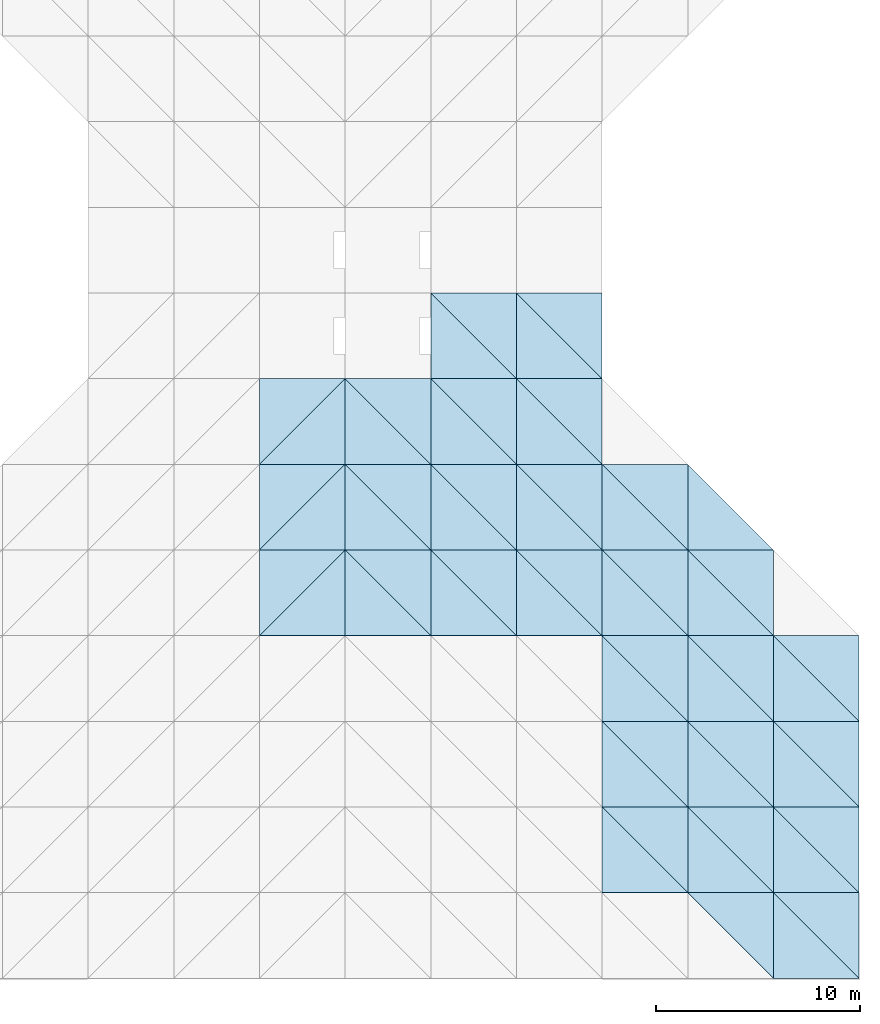
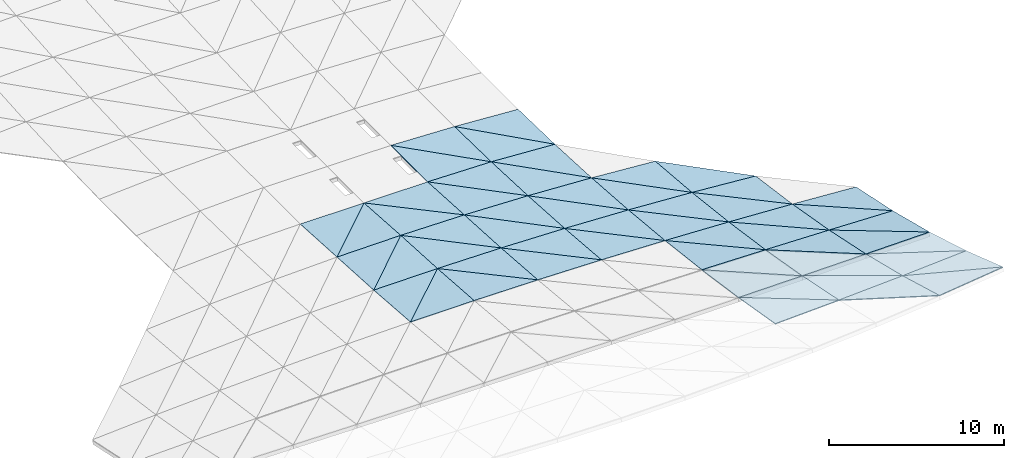
# One storey, part 46 of 64: 56 roofs.
"""IFC4 building model written with IfcOpenShell, lengths in metres."""

from ifc_helpers import new_model, si_unit, direction, frame, origin, place, context, subcontext, project, spatial, polyline, outline, extrude, material, layer, layer_set, type_object, element, save


model = new_model("IFC4")

# Units and contexts
model_context = context("Model", 3, precision=1e-05, world=origin(), true_north=direction((0.0, 1.0)))
body_context = subcontext(model_context, "Body", "Model", "MODEL_VIEW")
ifc_project = project(units=[si_unit("LENGTHUNIT", "METRE"), si_unit("AREAUNIT", "SQUARE_METRE"), si_unit("VOLUMEUNIT", "CUBIC_METRE"), si_unit("PLANEANGLEUNIT", "RADIAN"), si_unit("MASSUNIT", "GRAM", prefix="KILO")], contexts=[model_context])

# Site, building, storey
site_placement = place(None, origin())
site = spatial("IfcSite", under=ifc_project, at=site_placement, CompositionType="ELEMENT")
building_placement = place(site_placement, origin())
building = spatial("IfcBuilding", under=site, at=building_placement, Name="Cumbredor Promenade Congress Hotel", CompositionType="ELEMENT")
storey_placement = place(building_placement, frame((0.0, 0.0, 18.47998046875)))
storey = spatial("IfcBuildingStorey", under=building, at=storey_placement, Name="L05", CompositionType="ELEMENT", Elevation=18.47998046875)

# Roofs
ifc_material = material(Name="Standing-seam zinc-aluminium roofing", Category="aluminium")
ifc_layer = layer(ifc_material, 0.050048828125, Name="Standing-seam zinc-aluminium roofing", Category="aluminium")
ifc_layer_set = layer_set([ifc_layer], Name="Standing-seam zinc-aluminium roofing")
roof_type = type_object("IfcRoofType", Name="Sweeping Pavilion Standing-Seam Roof Skin 50mm", PredefinedType="FREEFORM", material=ifc_layer_set)
roof_1_placement = place(storey_placement, frame((159.60009765625, 16.800048828125, 1.030029296875), z_axis=(-0.00591297836, 0.073680347997, 0.997264379694), x_axis=(0.999982422767, 0.0, 0.005929094177)))
element("IfcRoof", 1, at=roof_1_placement, inside=storey, type_object=roof_type, Name="Grand Ballroom Pavilion Standing-Seam Roof Skin 6.5.1", PredefinedType="FREEFORM", context=body_context, shape_type="SweptSolid", body=[
    extrude(outline(polyline([(0.0, 0.0), (4.200024996694476, 0.0), (4.1981851825590715, 4.21139813460788), (0.0, 0.0)])), origin(), (0.0, 0.0, -1.0), 0.050048828125),
])
roof_2_placement = place(storey_placement, frame((159.60009765625, 16.800048828125, 1.030029296875), z_axis=(-0.008461902118, 0.076215077293, 0.997055494045), x_axis=(0.706291899763, 0.706291899763, -0.047994839901)))
element("IfcRoof", 2, at=roof_2_placement, inside=storey, type_object=roof_type, Name="Grand Ballroom Pavilion Standing-Seam Roof Skin 6.5.2", PredefinedType="FREEFORM", context=body_context, shape_type="SweptSolid", body=[
    extrude(outline(polyline([(0.0, 0.0), (5.946480730250227, -1.8735013540549517e-16), (2.981799991723736, 2.9751518444194134), (0.0, 0.0)])), origin(), (0.0, 0.0, -1.0), 0.050048828125),
])
roof_3_placement = place(storey_placement, frame((159.60009765625, 21.0, 0.708984375), z_axis=(-0.008473622127, 0.055252659351, 0.998436448334), x_axis=(0.999963988279, 0.0, 0.008486586194)))
element("IfcRoof", 3, at=roof_3_placement, inside=storey, type_object=roof_type, Name="Grand Ballroom Pavilion Standing-Seam Roof Skin 6.6.1", PredefinedType="FREEFORM", context=body_context, shape_type="SweptSolid", body=[
    extrude(outline(polyline([(0.0, 0.0), (4.200102424791831, 4.336808689942018e-19), (4.198129956516363, 4.206376811875228), (0.0, 0.0)])), origin(), (0.0, 0.0, -1.0), 0.050048828125),
])
roof_4_placement = place(storey_placement, frame((159.60009765625, 21.0, 0.708984375), z_axis=(-0.01050356696, 0.05727635685, 0.998303107291), x_axis=(0.706719051196, 0.706719051196, -0.0331114082)))
element("IfcRoof", 4, at=roof_4_placement, inside=storey, type_object=roof_type, Name="Grand Ballroom Pavilion Standing-Seam Roof Skin 6.6.2", PredefinedType="FREEFORM", context=body_context, shape_type="SweptSolid", body=[
    extrude(outline(polyline([(0.0, 0.0), (5.94288658946826, -5.204170427930421e-17), (2.976164257231391, 2.973230760857406), (0.0, 0.0)])), origin(), (0.0, 0.0, -1.0), 0.050048828125),
])
roof_5_placement = place(storey_placement, frame((159.60009765625, 25.199951171875, 0.468017578125), z_axis=(-0.010496716552, 0.067677724952, 0.997652015728), x_axis=(0.999944654448, 0.0, 0.010520838369)))
element("IfcRoof", 5, at=roof_5_placement, inside=storey, type_object=roof_type, Name="Grand Ballroom Pavilion Standing-Seam Roof Skin 6.7.1", PredefinedType="FREEFORM", context=body_context, shape_type="SweptSolid", body=[
    extrude(outline(polyline([(0.0, 0.0), (4.2001836333548175, 0.0), (4.197186119102824, 4.209602804435475), (0.0, 0.0)])), origin(), (0.0, 0.0, -1.0), 0.050048828125),
])
roof_6_placement = place(storey_placement, frame((159.60009765625, 25.199951171875, 0.468017578125), z_axis=(0.0, 0.057221672776, 0.998361497738), x_axis=(0.706526770687, 0.706526770687, -0.040494994821)))
element("IfcRoof", 6, at=roof_6_placement, inside=storey, type_object=roof_type, Name="Grand Ballroom Pavilion Standing-Seam Roof Skin 6.7.2", PredefinedType="FREEFORM", context=body_context, shape_type="SweptSolid", body=[
    extrude(outline(polyline([(0.0, 0.0), (5.944503939732939, 1.8214596497756474e-16), (2.977126001225481, 2.9722479735367666), (0.0, 0.0)])), origin(), (0.0, 0.0, -1.0), 0.050048828125),
])
roof_7_placement = place(storey_placement, frame((163.800048828125, 16.800048828125, 1.054931640625), z_axis=(0.00591297836, 0.073680347997, 0.997264379694), x_axis=(0.999982422767, 0.0, -0.005929094177)))
element("IfcRoof", 7, at=roof_7_placement, inside=storey, type_object=roof_type, Name="Grand Ballroom Pavilion Standing-Seam Roof Skin 7.5.1", PredefinedType="FREEFORM", context=body_context, shape_type="SweptSolid", body=[
    extrude(outline(polyline([(0.0, 0.0), (4.200024996694476, 0.0), (0.0018398141354046091, 4.21139813460788), (0.0, 0.0)])), origin(), (0.0, 0.0, -1.0), 0.050048828125),
])
roof_8_placement = place(storey_placement, frame((168.0, 16.800048828125, 1.030029296875), z_axis=(0.008461902118, 0.076215077293, 0.997055494045), x_axis=(0.0, 0.997091192437, -0.076217806084)))
element("IfcRoof", 8, at=roof_8_placement, inside=storey, type_object=roof_type, Name="Grand Ballroom Pavilion Standing-Seam Roof Skin 7.5.2", PredefinedType="FREEFORM", context=body_context, shape_type="SweptSolid", body=[
    extrude(outline(polyline([(0.0, 0.0), (4.21220366174238, -4.336808689942018e-19), (4.209486913771629, 4.200101546156079), (0.0, 0.0)])), origin(), (0.0, 0.0, -1.0), 0.050048828125),
])
roof_9_placement = place(storey_placement, frame((163.800048828125, 21.0, 0.74462890625), z_axis=(0.008473622127, 0.055252659351, 0.998436448334), x_axis=(0.999963988279, 0.0, -0.008486586194)))
element("IfcRoof", 9, at=roof_9_placement, inside=storey, type_object=roof_type, Name="Grand Ballroom Pavilion Standing-Seam Roof Skin 7.6.1", PredefinedType="FREEFORM", context=body_context, shape_type="SweptSolid", body=[
    extrude(outline(polyline([(0.0, 0.0), (4.200102424791831, -4.336808689942018e-19), (0.0019724682754687114, 4.206376811875228), (0.0, 0.0)])), origin(), (0.0, 0.0, -1.0), 0.050048828125),
])
roof_10_placement = place(storey_placement, frame((168.0, 21.0, 0.708984375), z_axis=(0.01050356696, 0.05727635685, 0.998303107291), x_axis=(0.0, 0.998358180703, -0.057279516617)))
element("IfcRoof", 10, at=roof_10_placement, inside=storey, type_object=roof_type, Name="Grand Ballroom Pavilion Standing-Seam Roof Skin 7.6.2", PredefinedType="FREEFORM", context=body_context, shape_type="SweptSolid", body=[
    extrude(outline(polyline([(0.0, 0.0), (4.206858072639293, 0.0), (4.2043269221247455, 4.2001828706829825), (0.0, 0.0)])), origin(), (0.0, 0.0, -1.0), 0.050048828125),
])
roof_11_placement = place(storey_placement, frame((163.800048828125, 25.199951171875, 0.51220703125), z_axis=(0.010496716552, 0.067677724952, 0.997652015728), x_axis=(0.999944654448, 0.0, -0.010520838369)))
element("IfcRoof", 11, at=roof_11_placement, inside=storey, type_object=roof_type, Name="Grand Ballroom Pavilion Standing-Seam Roof Skin 7.7.1", PredefinedType="FREEFORM", context=body_context, shape_type="SweptSolid", body=[
    extrude(outline(polyline([(0.0, 0.0), (4.2001836333548175, 0.0), (0.0029975142519936262, 4.209602804435475), (0.0, 0.0)])), origin(), (0.0, 0.0, -1.0), 0.050048828125),
])
roof_12_placement = place(storey_placement, frame((168.0, 25.199951171875, 0.468017578125), z_axis=(0.0, 0.057221672776, 0.998361497738), x_axis=(0.0, 0.998361497738, -0.057221672776)))
element("IfcRoof", 12, at=roof_12_placement, inside=storey, type_object=roof_type, Name="Grand Ballroom Pavilion Standing-Seam Roof Skin 7.7.2", PredefinedType="FREEFORM", context=body_context, shape_type="SweptSolid", body=[
    extrude(outline(polyline([(0.0, 0.0), (4.20684409544331, 0.0), (4.20684409544331, 4.199951171875), (0.0, 0.0)])), origin(), (0.0, 0.0, -1.0), 0.050048828125),
])
roof_13_placement = place(storey_placement, frame((168.0, 16.800048828125, 1.030029296875), z_axis=(0.017617199354, 0.076205977469, 0.99693644897), x_axis=(0.999843898494, 0.0, -0.017668577873)))
element("IfcRoof", 13, at=roof_13_placement, inside=storey, type_object=roof_type, Name="Grand Ballroom Pavilion Standing-Seam Roof Skin 8.5.1", PredefinedType="FREEFORM", context=body_context, shape_type="SweptSolid", body=[
    extrude(outline(polyline([(0.0, 0.0), (4.200606892936514, -8.673617379884035e-19), (0.005672407202748996, 4.21219984233802), (0.0, 0.0)])), origin(), (0.0, 0.0, -1.0), 0.050048828125),
])
roof_14_placement = place(storey_placement, frame((172.199951171875, 16.800048828125, 0.955810546875), z_axis=(0.025535906528, 0.084077406526, 0.996131972778), x_axis=(0.0, 0.996456911826, -0.084104832644)))
element("IfcRoof", 14, at=roof_14_placement, inside=storey, type_object=roof_type, Name="Grand Ballroom Pavilion Standing-Seam Roof Skin 8.5.2", PredefinedType="FREEFORM", context=body_context, shape_type="SweptSolid", body=[
    extrude(outline(polyline([(0.0, 0.0), (4.214884880650089, 1.734723475976807e-18), (4.2058296484245234, 4.2013211993162445), (0.0, 0.0)])), origin(), (0.0, 0.0, -1.0), 0.050048828125),
])
roof_15_placement = place(storey_placement, frame((168.0, 21.0, 0.708984375), z_axis=(0.02558459792, 0.057260766774, 0.998031378734), x_axis=(0.999671583613, 0.0, -0.025626644677)))
element("IfcRoof", 15, at=roof_15_placement, inside=storey, type_object=roof_type, Name="Grand Ballroom Pavilion Standing-Seam Roof Skin 8.6.1", PredefinedType="FREEFORM", context=body_context, shape_type="SweptSolid", body=[
    extrude(outline(polyline([(0.0, 0.0), (4.201330957810245, 0.0), (0.006175170482396861, 4.20685354042661), (0.0, 0.0)])), origin(), (0.0, 0.0, -1.0), 0.050048828125),
])
roof_16_placement = place(storey_placement, frame((172.199951171875, 21.0, 0.601318359375), z_axis=(0.031427778123, 0.063087495568, 0.997513038845), x_axis=(0.0, 0.998006028498, -0.063118674592)))
element("IfcRoof", 16, at=roof_16_placement, inside=storey, type_object=roof_type, Name="Grand Ballroom Pavilion Standing-Seam Roof Skin 8.6.2", PredefinedType="FREEFORM", context=body_context, shape_type="SweptSolid", body=[
    extrude(outline(polyline([(0.0, 0.0), (4.208342486865724, 1.734723475976807e-18), (4.199990357561807, 4.20202686651788), (0.0, 0.0)])), origin(), (0.0, 0.0, -1.0), 0.050048828125),
])
roof_17_placement = place(storey_placement, frame((168.0, 25.199951171875, 0.468017578125), z_axis=(0.03143896099, 0.057193386598, 0.997867981379), x_axis=(0.999504050995, 0.0, -0.031490507216)))
element("IfcRoof", 17, at=roof_17_placement, inside=storey, type_object=roof_type, Name="Grand Ballroom Pavilion Standing-Seam Roof Skin 8.7.1", PredefinedType="FREEFORM", context=body_context, shape_type="SweptSolid", body=[
    extrude(outline(polyline([(0.0, 0.0), (4.202035167035372, 0.0), (0.007580478543728932, 4.206837265655909), (0.0, 0.0)])), origin(), (0.0, 0.0, -1.0), 0.050048828125),
])
roof_18_placement = place(storey_placement, frame((172.199951171875, 25.199951171875, 0.335693359375), z_axis=(0.016375715477, 0.042158756867, 0.998976714024), x_axis=(0.0, 0.999110685794, -0.042164410736)))
element("IfcRoof", 18, at=roof_18_placement, inside=storey, type_object=roof_type, Name="Grand Ballroom Pavilion Standing-Seam Roof Skin 8.7.2", PredefinedType="FREEFORM", context=body_context, shape_type="SweptSolid", body=[
    extrude(outline(polyline([(0.0, 0.0), (4.203689572730581, 0.0), (4.200786651874266, 4.200514423133886), (0.0, 0.0)])), origin(), (0.0, 0.0, -1.0), 0.050048828125),
])
roof_19_placement = place(storey_placement, frame((168.0, 29.39990234375, 0.227294921875), z_axis=(0.016390287682, 0.0, 0.999865670213), x_axis=(0.999865670213, 0.0, -0.016390287682)))
element("IfcRoof", 19, at=roof_19_placement, inside=storey, type_object=roof_type, Name="Grand Ballroom Pavilion Standing-Seam Roof Skin 8.8.1", PredefinedType="FREEFORM", context=body_context, shape_type="SweptSolid", body=[
    extrude(outline(polyline([(0.0, 0.0), (4.20051542621918, 0.0), (0.0, 4.200195312500001), (0.0, 0.0)])), origin(), (0.0, 0.0, -1.0), 0.050048828125),
])
roof_20_placement = place(storey_placement, frame((172.199951171875, 29.39990234375, 0.158447265625), z_axis=(0.037400860464, 0.021022243033, 0.999079196528), x_axis=(0.0, 0.999778698634, -0.021036961689)))
element("IfcRoof", 20, at=roof_20_placement, inside=storey, type_object=roof_type, Name="Grand Ballroom Pavilion Standing-Seam Roof Skin 8.8.2", PredefinedType="FREEFORM", context=body_context, shape_type="SweptSolid", body=[
    extrude(outline(polyline([(0.0, 0.0), (4.201125027206037, -4.336808689942018e-19), (4.197817458034157, 4.202891754265857), (0.0, 0.0)])), origin(), (0.0, 0.0, -1.0), 0.050048828125),
])
roof_21_placement = place(storey_placement, frame((172.199951171875, 16.800048828125, 0.955810546875), z_axis=(0.029354527893, 0.084068588759, 0.996027501667), x_axis=(0.999565994989, 0.0, -0.029458812966)))
element("IfcRoof", 21, at=roof_21_placement, inside=storey, type_object=roof_type, Name="Grand Ballroom Pavilion Standing-Seam Roof Skin 9.5.1", PredefinedType="FREEFORM", context=body_context, shape_type="SweptSolid", body=[
    extrude(outline(polyline([(0.0, 0.0), (4.201774763176752, 1.734723475976807e-18), (0.010442919049581823, 4.214871943793126), (0.0, 0.0)])), origin(), (0.0, 0.0, -1.0), 0.050048828125),
])
roof_22_placement = place(storey_placement, frame((176.39990234375, 16.800048828125, 0.83203125), z_axis=(0.042369504616, 0.096993217934, 0.994382793874), x_axis=(0.0, 0.995276542908, -0.097080395222)))
element("IfcRoof", 22, at=roof_22_placement, inside=storey, type_object=roof_type, Name="Grand Ballroom Pavilion Standing-Seam Roof Skin 9.5.2", PredefinedType="FREEFORM", context=body_context, shape_type="SweptSolid", body=[
    extrude(outline(polyline([(0.0, 0.0), (4.2198836110435485, 0.0), (4.20251058133223, 4.203726078606878), (0.0, 0.0)])), origin(), (0.0, 0.0, -1.0), 0.050048828125),
])
roof_23_placement = place(storey_placement, frame((172.199951171875, 21.0, 0.601318359375), z_axis=(0.042485490965, 0.063061683724, 0.997104912787), x_axis=(0.999093477233, 0.0, -0.042570221404)))
element("IfcRoof", 23, at=roof_23_placement, inside=storey, type_object=roof_type, Name="Grand Ballroom Pavilion Standing-Seam Roof Skin 9.6.1", PredefinedType="FREEFORM", context=body_context, shape_type="SweptSolid", body=[
    extrude(outline(polyline([(0.0, 0.0), (4.203761977814741, 0.0), (0.011307715060419143, 4.2083272950590835), (0.0, 0.0)])), origin(), (0.0, 0.0, -1.0), 0.050048828125),
])
roof_24_placement = place(storey_placement, frame((176.39990234375, 21.0, 0.42236328125), z_axis=(0.052279466529, 0.072832302208, 0.995973048398), x_axis=(0.0, 0.997336912956, -0.072932037232)))
element("IfcRoof", 24, at=roof_24_placement, inside=storey, type_object=roof_type, Name="Grand Ballroom Pavilion Standing-Seam Roof Skin 9.6.2", PredefinedType="FREEFORM", context=body_context, shape_type="SweptSolid", body=[
    extrude(outline(polyline([(0.0, 0.0), (4.21116587315063, 3.469446951953614e-18), (4.195087350294103, 4.205702496733286), (0.0, 0.0)])), origin(), (0.0, 0.0, -1.0), 0.050048828125),
])
roof_25_placement = place(storey_placement, frame((172.199951171875, 25.199951171875, 0.335693359375), z_axis=(0.052372191237, 0.042106545778, 0.997739541357), x_axis=(0.998625195951, 0.0, -0.052418679994)))
element("IfcRoof", 25, at=roof_25_placement, inside=storey, type_object=roof_type, Name="Grand Ballroom Pavilion Standing-Seam Roof Skin 9.7.1", PredefinedType="FREEFORM", context=body_context, shape_type="SweptSolid", body=[
    extrude(outline(polyline([(0.0, 0.0), (4.2057332309510365, 0.0), (0.009291006268537138, 4.203679305214224), (0.0, 0.0)])), origin(), (0.0, 0.0, -1.0), 0.050048828125),
])
roof_26_placement = place(storey_placement, frame((176.39990234375, 25.199951171875, 0.115234375), z_axis=(0.058944578235, 0.048685787332, 0.997073332714), x_axis=(0.0, 0.998810006887, -0.048770586862)))
element("IfcRoof", 26, at=roof_26_placement, inside=storey, type_object=roof_type, Name="Grand Ballroom Pavilion Standing-Seam Roof Skin 9.7.2", PredefinedType="FREEFORM", context=body_context, shape_type="SweptSolid", body=[
    extrude(outline(polyline([(0.0, 0.0), (4.204955039413347, 1.734723475976807e-18), (4.192845740868784, 4.207266528217941), (0.0, 0.0)])), origin(), (0.0, 0.0, -1.0), 0.050048828125),
])
roof_27_placement = place(storey_placement, frame((172.199951171875, 29.39990234375, 0.158447265625), z_axis=(0.059001546476, 0.021000313015, 0.998036975451), x_axis=(0.998257121983, 0.0, -0.05901456101)))
element("IfcRoof", 27, at=roof_27_placement, inside=storey, type_object=roof_type, Name="Grand Ballroom Pavilion Standing-Seam Roof Skin 9.8.1", PredefinedType="FREEFORM", context=body_context, shape_type="SweptSolid", body=[
    extrude(outline(polyline([(0.0, 0.0), (4.20728395459283, 8.673617379884035e-19), (0.005215642354893732, 4.201121789628545), (0.0, 0.0)])), origin(), (0.0, 0.0, -1.0), 0.050048828125),
])
roof_28_placement = place(storey_placement, frame((176.39990234375, 29.39990234375, -0.08984375), z_axis=(0.06229125977, 0.024300298652, 0.997762143219), x_axis=(0.0, 0.999703553702, -0.024347581318)))
element("IfcRoof", 28, at=roof_28_placement, inside=storey, type_object=roof_type, Name="Grand Ballroom Pavilion Standing-Seam Roof Skin 9.8.2", PredefinedType="FREEFORM", context=body_context, shape_type="SweptSolid", body=[
    extrude(outline(polyline([(0.0, 0.0), (4.2014408140765696, 0.0), (4.195056707060965, 4.208123289133618), (0.0, 0.0)])), origin(), (0.0, 0.0, -1.0), 0.050048828125),
])
roof_29_placement = place(storey_placement, frame((176.39990234375, 4.199951171875, 2.675537109375), z_axis=(-0.041219167143, 0.168092374333, 0.984909099334), x_axis=(0.999125406809, 0.0, 0.041814130022)))
element("IfcRoof", 29, at=roof_29_placement, inside=storey, type_object=roof_type, Name="Grand Ballroom Pavilion Standing-Seam Roof Skin 10.2.1", PredefinedType="FREEFORM", context=body_context, shape_type="SweptSolid", body=[
    extrude(outline(polyline([(0.0, 0.0), (4.203871990320178, 0.0), (-0.02997223773076813, 4.260573819464857), (0.0, 0.0)])), origin(), (0.0, 0.0, -1.0), 0.050048828125),
])
roof_30_placement = place(storey_placement, frame((180.60009765625, 4.199951171875, 2.851318359375), z_axis=(-0.009284672729, 0.198976975823, 0.979960181816), x_axis=(0.0, 0.980002423353, -0.198985552797)))
element("IfcRoof", 30, at=roof_30_placement, inside=storey, type_object=roof_type, Name="Grand Ballroom Pavilion Standing-Seam Roof Skin 10.2.2", PredefinedType="FREEFORM", context=body_context, shape_type="SweptSolid", body=[
    extrude(outline(polyline([(0.0, 0.0), (4.285653863492281, -1.734723475976807e-18), (4.2935724780201046, 4.20037636343435), (0.0, 0.0)])), origin(), (0.0, 0.0, -1.0), 0.050048828125),
])
roof_31_placement = place(storey_placement, frame((176.39990234375, 8.39990234375, 1.958740234375), z_axis=(-0.009374328707, 0.144755738381, 0.989423012754), x_axis=(0.99995511956, 0.0, 0.009474115583)))
element("IfcRoof", 31, at=roof_31_placement, inside=storey, type_object=roof_type, Name="Grand Ballroom Pavilion Standing-Seam Roof Skin 10.3.1", PredefinedType="FREEFORM", context=body_context, shape_type="SweptSolid", body=[
    extrude(outline(polyline([(0.0, 0.0), (4.200383827575048, -1.734723475976807e-18), (-0.005821862529825523, 4.244905113127748), (0.0, 0.0)])), origin(), (0.0, 0.0, -1.0), 0.050048828125),
])
roof_32_placement = place(storey_placement, frame((180.60009765625, 8.39990234375, 1.99853515625), z_axis=(0.01792133975, 0.171369232814, 0.985043862793), x_axis=(0.0, 0.985202086352, -0.171396759152)))
element("IfcRoof", 32, at=roof_32_placement, inside=storey, type_object=roof_type, Name="Grand Ballroom Pavilion Standing-Seam Roof Skin 10.3.2", PredefinedType="FREEFORM", context=body_context, shape_type="SweptSolid", body=[
    extrude(outline(polyline([(0.0, 0.0), (4.263283006284302, 0.0), (4.250185548858867, 4.200869972660421), (0.0, 0.0)])), origin(), (0.0, 0.0, -1.0), 0.050048828125),
])
roof_33_placement = place(storey_placement, frame((176.39990234375, 12.60009765625, 1.34423828125), z_axis=(0.018056692985, 0.121038798704, 0.992483533892), x_axis=(0.999834540383, 0.0, -0.018190433105)))
element("IfcRoof", 33, at=roof_33_placement, inside=storey, type_object=roof_type, Name="Grand Ballroom Pavilion Standing-Seam Roof Skin 10.4.1", PredefinedType="FREEFORM", context=body_context, shape_type="SweptSolid", body=[
    extrude(outline(polyline([(0.0, 0.0), (4.200890390213838, -1.734723475976807e-18), (0.009317267737909838, 4.231058860086683), (0.0, 0.0)])), origin(), (0.0, 0.0, -1.0), 0.050048828125),
])
roof_34_placement = place(storey_placement, frame((180.60009765625, 12.60009765625, 1.267822265625), z_axis=(0.040751093511, 0.143355620727, 0.988831893895), x_axis=(0.0, 0.989653970568, -0.143474801058)))
element("IfcRoof", 34, at=roof_34_placement, inside=storey, type_object=roof_type, Name="Grand Ballroom Pavilion Standing-Seam Roof Skin 10.4.2", PredefinedType="FREEFORM", context=body_context, shape_type="SweptSolid", body=[
    extrude(outline(polyline([(0.0, 0.0), (4.243858254278096, 0.0), (4.219023382708278, 4.203687192779861), (0.0, 0.0)])), origin(), (0.0, 0.0, -1.0), 0.050048828125),
])
roof_35_placement = place(storey_placement, frame((176.39990234375, 16.800048828125, 0.83203125), z_axis=(0.040982227055, 0.096998835616, 0.994440386828), x_axis=(0.999151892623, 0.0, -0.041176394552)))
element("IfcRoof", 35, at=roof_35_placement, inside=storey, type_object=roof_type, Name="Grand Ballroom Pavilion Standing-Seam Roof Skin 10.5.1", PredefinedType="FREEFORM", context=body_context, shape_type="SweptSolid", body=[
    extrude(outline(polyline([(0.0, 0.0), (4.203760552836866, 0.0), (0.016868649916493863, 4.219849895364043), (0.0, 0.0)])), origin(), (0.0, 0.0, -1.0), 0.050048828125),
])
roof_36_placement = place(storey_placement, frame((180.60009765625, 16.800048828125, 0.658935546875), z_axis=(0.059193641627, 0.115050999713, 0.991594362759), x_axis=(0.0, 0.993336158793, -0.115253093818)))
element("IfcRoof", 36, at=roof_36_placement, inside=storey, type_object=roof_type, Name="Grand Ballroom Pavilion Standing-Seam Roof Skin 10.5.2", PredefinedType="FREEFORM", context=body_context, shape_type="SweptSolid", body=[
    extrude(outline(polyline([(0.0, 0.0), (4.228126737054326, -3.469446951953614e-18), (4.199229049712759, 4.207573211982483), (0.0, 0.0)])), origin(), (0.0, 0.0, -1.0), 0.050048828125),
])
roof_37_placement = place(storey_placement, frame((176.39990234375, 21.0, 0.42236328125), z_axis=(0.059431209158, 0.072803122817, 0.99557402371), x_axis=(0.998222976403, 0.0, -0.0595893395)))
element("IfcRoof", 37, at=roof_37_placement, inside=storey, type_object=roof_type, Name="Grand Ballroom Pavilion Standing-Seam Roof Skin 10.6.1", PredefinedType="FREEFORM", context=body_context, shape_type="SweptSolid", body=[
    extrude(outline(polyline([(0.0, 0.0), (4.20767244572653, 3.469446951953614e-18), (0.01830160866492678, 4.211126103824105), (0.0, 0.0)])), origin(), (0.0, 0.0, -1.0), 0.050048828125),
])
roof_38_placement = place(storey_placement, frame((180.60009765625, 21.0, 0.171630859375), z_axis=(0.073114281561, 0.086460064677, 0.993568799353), x_axis=(0.0, 0.996235153728, -0.08669209005)))
element("IfcRoof", 38, at=roof_38_placement, inside=storey, type_object=roof_type, Name="Grand Ballroom Pavilion Standing-Seam Roof Skin 10.6.2", PredefinedType="FREEFORM", context=body_context, shape_type="SweptSolid", body=[
    extrude(outline(polyline([(0.0, 0.0), (4.215823097749435, 3.469446951953614e-18), (4.18902813046347, 4.211467012208067), (0.0, 0.0)])), origin(), (0.0, 0.0, -1.0), 0.050048828125),
])
roof_39_placement = place(storey_placement, frame((184.800048828125, 0.0, 4.250732421875), z_axis=(-0.051660124766, 0.268811558307, 0.961806413801), x_axis=(0.0, 0.963092407715, -0.269170975777)))
element("IfcRoof", 39, at=roof_39_placement, inside=storey, type_object=roof_type, Name="Grand Ballroom Pavilion Standing-Seam Roof Skin 11.1.2", PredefinedType="FREEFORM", context=body_context, shape_type="SweptSolid", body=[
    extrude(outline(polyline([(0.0, 0.0), (4.360901548209407, -6.938893903907228e-18), (4.421622735127905, 4.205566763088081), (0.0, 0.0)])), origin(), (0.0, 0.0, -1.0), 0.050048828125),
])
roof_40_placement = place(storey_placement, frame((180.60009765625, 4.199951171875, 2.851318359375), z_axis=(-0.052564690677, 0.198710459454, 0.978647590605), x_axis=(0.998560647635, 0.0, 0.053634252073)))
element("IfcRoof", 40, at=roof_40_placement, inside=storey, type_object=roof_type, Name="Grand Ballroom Pavilion Standing-Seam Roof Skin 11.2.1", PredefinedType="FREEFORM", context=body_context, shape_type="SweptSolid", body=[
    extrude(outline(polyline([(0.0, 0.0), (4.206005095257487, 0.0), (-0.04573838928015588, 4.285409786404607), (0.0, 0.0)])), origin(), (0.0, 0.0, -1.0), 0.050048828125),
])
roof_41_placement = place(storey_placement, frame((184.800048828125, 4.199951171875, 3.076904296875), z_axis=(-0.011856912562, 0.237533481662, 0.971306984796), x_axis=(0.0, 0.97137526826, -0.237550180409)))
element("IfcRoof", 41, at=roof_41_placement, inside=storey, type_object=roof_type, Name="Grand Ballroom Pavilion Standing-Seam Roof Skin 11.2.2", PredefinedType="FREEFORM", context=body_context, shape_type="SweptSolid", body=[
    extrude(outline(polyline([(0.0, 0.0), (4.323716393765029, 0.0), (4.335895480162937, 4.200246430963699), (0.0, 0.0)])), origin(), (0.0, 0.0, -1.0), 0.050048828125),
])
roof_42_placement = place(storey_placement, frame((180.60009765625, 8.39990234375, 1.99853515625), z_axis=(-0.012025662824, 0.171384365299, 0.985130845505), x_axis=(0.999925500788, 0.0, 0.012206263743)))
element("IfcRoof", 42, at=roof_42_placement, inside=storey, type_object=roof_type, Name="Grand Ballroom Pavilion Standing-Seam Roof Skin 11.3.1", PredefinedType="FREEFORM", context=body_context, shape_type="SweptSolid", body=[
    extrude(outline(polyline([(0.0, 0.0), (4.200264088241212, -1.734723475976807e-18), (-0.008919274263148388, 4.263273676204607), (0.0, 0.0)])), origin(), (0.0, 0.0, -1.0), 0.050048828125),
])
roof_43_placement = place(storey_placement, frame((184.800048828125, 8.39990234375, 2.0498046875), z_axis=(0.022865306284, 0.205036412582, 0.978487223874), x_axis=(0.0, 0.978743111653, -0.205090032406)))
element("IfcRoof", 43, at=roof_43_placement, inside=storey, type_object=roof_type, Name="Grand Ballroom Pavilion Standing-Seam Roof Skin 11.3.2", PredefinedType="FREEFORM", context=body_context, shape_type="SweptSolid", body=[
    extrude(outline(polyline([(0.0, 0.0), (4.2914174950433415, 3.469446951953614e-18), (4.271289029948833, 4.201049516494826), (0.0, 0.0)])), origin(), (0.0, 0.0, -1.0), 0.050048828125),
])
roof_44_placement = place(storey_placement, frame((180.60009765625, 12.60009765625, 1.267822265625), z_axis=(0.023120069261, 0.143436449594, 0.989389431582), x_axis=(0.999727079655, 0.0, -0.023361639599)))
element("IfcRoof", 44, at=roof_44_placement, inside=storey, type_object=roof_type, Name="Grand Ballroom Pavilion Standing-Seam Roof Skin 11.4.1", PredefinedType="FREEFORM", context=body_context, shape_type="SweptSolid", body=[
    extrude(outline(polyline([(0.0, 0.0), (4.2010977369193006, 1.734723475976807e-18), (0.014224592080043116, 4.243834415170376), (0.0, 0.0)])), origin(), (0.0, 0.0, -1.0), 0.050048828125),
])
roof_45_placement = place(storey_placement, frame((184.800048828125, 12.60009765625, 1.169677734375), z_axis=(0.052209220159, 0.17183867095, 0.983740651034), x_axis=(0.0, 0.985084139669, -0.17207334998)))
element("IfcRoof", 45, at=roof_45_placement, inside=storey, type_object=roof_type, Name="Grand Ballroom Pavilion Standing-Seam Roof Skin 11.4.2", PredefinedType="FREEFORM", context=body_context, shape_type="SweptSolid", body=[
    extrude(outline(polyline([(0.0, 0.0), (4.26354562290262, 0.0), (4.2251904059759475, 4.205687019692439), (0.0, 0.0)])), origin(), (0.0, 0.0, -1.0), 0.050048828125),
])
roof_46_placement = place(storey_placement, frame((180.60009765625, 16.800048828125, 0.658935546875), z_axis=(0.052645368045, 0.115093269022, 0.991958670837), x_axis=(0.99859464216, 0.0, -0.052997553234)))
element("IfcRoof", 46, at=roof_46_placement, inside=storey, type_object=roof_type, Name="Grand Ballroom Pavilion Standing-Seam Roof Skin 11.5.1", PredefinedType="FREEFORM", context=body_context, shape_type="SweptSolid", body=[
    extrude(outline(polyline([(0.0, 0.0), (4.205861912887175, 3.469446951953614e-18), (0.025825956117180155, 4.228047862144455), (0.0, 0.0)])), origin(), (0.0, 0.0, -1.0), 0.050048828125),
])
roof_47_placement = place(storey_placement, frame((184.800048828125, 16.800048828125, 0.43603515625), z_axis=(0.075830993945, 0.137999780048, 0.987525048322), x_axis=(0.0, 0.990376654728, -0.138398272276)))
element("IfcRoof", 47, at=roof_47_placement, inside=storey, type_object=roof_type, Name="Grand Ballroom Pavilion Standing-Seam Roof Skin 11.5.2", PredefinedType="FREEFORM", context=body_context, shape_type="SweptSolid", body=[
    extrude(outline(polyline([(0.0, 0.0), (4.2407614838486785, -6.938893903907228e-18), (4.196126689493985, 4.212079074541525), (0.0, 0.0)])), origin(), (0.0, 0.0, -1.0), 0.050048828125),
])
roof_48_placement = place(storey_placement, frame((180.60009765625, 21.0, 0.171630859375), z_axis=(0.076276964271, 0.086439527263, 0.993332790583), x_axis=(0.997064704654, 0.0, -0.076563533968)))
element("IfcRoof", 48, at=roof_48_placement, inside=storey, type_object=roof_type, Name="Grand Ballroom Pavilion Standing-Seam Roof Skin 11.6.1", PredefinedType="FREEFORM", context=body_context, shape_type="SweptSolid", body=[
    extrude(outline(polyline([(0.0, 0.0), (4.212315562141288, 0.0), (0.027982326745547386, 4.215730231040353), (0.0, 0.0)])), origin(), (0.0, 0.0, -1.0), 0.050048828125),
])
roof_49_placement = place(storey_placement, frame((184.800048828125, 0.0, 4.250732421875), z_axis=(-0.118242562971, 0.267282671727, 0.956336065249), x_axis=(0.992442958388, 0.0, 0.122706863483)))
element("IfcRoof", 49, at=roof_49_placement, inside=storey, type_object=roof_type, Name="Grand Ballroom Pavilion Standing-Seam Roof Skin 12.1.1", PredefinedType="FREEFORM", context=body_context, shape_type="SweptSolid", body=[
    extrude(outline(polyline([(0.0, 0.0), (4.231932058539838, 0.0), (-0.1440367674864429, 4.3585221948255874), (0.0, 0.0)])), origin(), (0.0, 0.0, -1.0), 0.050048828125),
])
roof_50_placement = place(storey_placement, frame((189.0, 0.0, 4.77001953125), z_axis=(-0.06211809951, 0.31911112182, 0.945679350332), x_axis=(0.0, 0.947509174268, -0.319728579703)))
element("IfcRoof", 50, at=roof_50_placement, inside=storey, type_object=roof_type, Name="Grand Ballroom Pavilion Standing-Seam Roof Skin 12.1.2", PredefinedType="FREEFORM", context=body_context, shape_type="SweptSolid", body=[
    extrude(outline(polyline([(0.0, 0.0), (4.432623225122052, 0.0), (4.520829595987269, 4.208077786019012), (0.0, 0.0)])), origin(), (0.0, 0.0, -1.0), 0.050048828125),
])
roof_51_placement = place(storey_placement, frame((184.800048828125, 4.199951171875, 3.076904296875), z_axis=(-0.063676478937, 0.237068094593, 0.969403953239), x_axis=(0.997849616578, 0.0, 0.065544966967)))
element("IfcRoof", 51, at=roof_51_placement, inside=storey, type_object=roof_type, Name="Grand Ballroom Pavilion Standing-Seam Roof Skin 12.2.1", PredefinedType="FREEFORM", context=body_context, shape_type="SweptSolid", body=[
    extrude(outline(polyline([(0.0, 0.0), (4.20900214029975, 1.3877787807814457e-17), (-0.067321209968308, 4.323192259014265), (0.0, 0.0)])), origin(), (0.0, 0.0, -1.0), 0.050048828125),
])
roof_52_placement = place(storey_placement, frame((189.0, 4.199951171875, 3.352783203125), z_axis=(-0.014326151444, 0.283178402091, 0.958960246295), x_axis=(0.0, 0.959058669282, -0.283207466137)))
element("IfcRoof", 52, at=roof_52_placement, inside=storey, type_object=roof_type, Name="Grand Ballroom Pavilion Standing-Seam Roof Skin 12.2.2", PredefinedType="FREEFORM", context=body_context, shape_type="SweptSolid", body=[
    extrude(outline(polyline([(0.0, 0.0), (4.379243216706036, 0.0), (4.397012825787372, 4.200382234310355), (0.0, 0.0)])), origin(), (0.0, 0.0, -1.0), 0.050048828125),
])
roof_53_placement = place(storey_placement, frame((184.800048828125, 8.39990234375, 2.0498046875), z_axis=(-0.014620129947, 0.205068112422, 0.978638503774), x_axis=(0.999888428009, 0.0, 0.014937587979)))
element("IfcRoof", 53, at=roof_53_placement, inside=storey, type_object=roof_type, Name="Grand Ballroom Pavilion Standing-Seam Roof Skin 12.3.1", PredefinedType="FREEFORM", context=body_context, shape_type="SweptSolid", body=[
    extrude(outline(polyline([(0.0, 0.0), (4.20041982107943, -1.734723475976807e-18), (-0.013146973794761433, 4.29139735678766), (0.0, 0.0)])), origin(), (0.0, 0.0, -1.0), 0.050048828125),
])
roof_54_placement = place(storey_placement, frame((189.0, 8.39990234375, 2.112548828125), z_axis=(0.027714884433, 0.24525120471, 0.969063327017), x_axis=(0.0, 0.969435717511, -0.245345449549)))
element("IfcRoof", 54, at=roof_54_placement, inside=storey, type_object=roof_type, Name="Grand Ballroom Pavilion Standing-Seam Roof Skin 12.3.2", PredefinedType="FREEFORM", context=body_context, shape_type="SweptSolid", body=[
    extrude(outline(polyline([(0.0, 0.0), (4.332618694187362, 0.0), (4.303148488821607, 4.2015651240773115), (0.0, 0.0)])), origin(), (0.0, 0.0, -1.0), 0.050048828125),
])
roof_55_placement = place(storey_placement, frame((184.800048828125, 12.60009765625, 1.169677734375), z_axis=(0.028161900128, 0.172005101393, 0.984693430706), x_axis=(0.999591280357, 0.0, -0.028587973606)))
element("IfcRoof", 55, at=roof_55_placement, inside=storey, type_object=roof_type, Name="Grand Ballroom Pavilion Standing-Seam Roof Skin 12.4.1", PredefinedType="FREEFORM", context=body_context, shape_type="SweptSolid", body=[
    extrude(outline(polyline([(0.0, 0.0), (4.2016684763159375, 0.0), (0.020973354659311716, 4.263494036229724), (0.0, 0.0)])), origin(), (0.0, 0.0, -1.0), 0.050048828125),
])
roof_56_placement = place(storey_placement, frame((189.0, 12.60009765625, 1.049560546875), z_axis=(0.063292145756, 0.205940721797, 0.976515500845), x_axis=(0.0, 0.978477306539, -0.206354453765)))
element("IfcRoof", 56, at=roof_56_placement, inside=storey, type_object=roof_type, Name="Grand Ballroom Pavilion Standing-Seam Roof Skin 12.4.2", PredefinedType="FREEFORM", context=body_context, shape_type="SweptSolid", body=[
    extrude(outline(polyline([(0.0, 0.0), (4.292333755528742, 0.0), (4.236160607103893, 4.208388813789799), (0.0, 0.0)])), origin(), (0.0, 0.0, -1.0), 0.050048828125),
])

save(model, "model.ifc")
